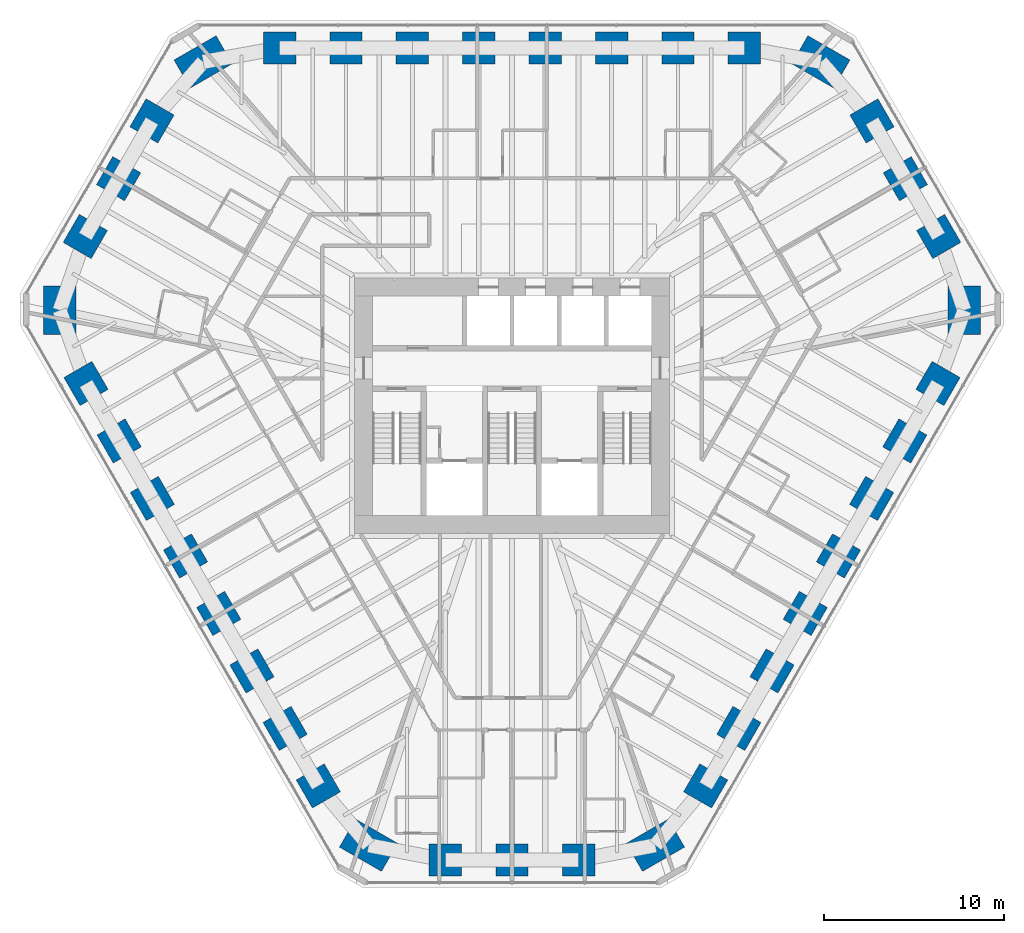
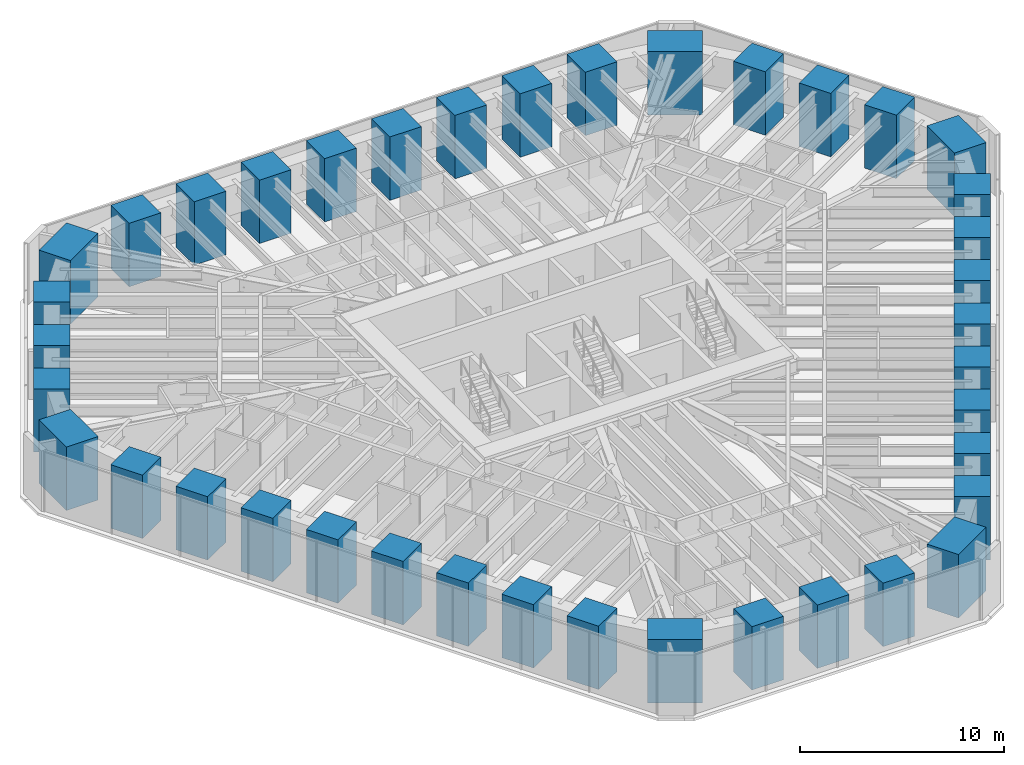
# One storey, part 1 of 16: 39 columns.
"""IFC4 building model written with IfcOpenShell, lengths in metres."""

from ifc_helpers import new_model, si_unit, direction, frame, origin, origin_2d, place, context, subcontext, project, spatial, rectangle, extrude, material, material_profile, profile_set, type_object, element, save


model = new_model("IFC4")

# Units and contexts
model_context = context("Model", 3, precision=1e-05, world=origin(), true_north=direction((0.0, 1.0)))
body_context = subcontext(model_context, "Body", "Model", "MODEL_VIEW")
ifc_project = project(units=[si_unit("LENGTHUNIT", "METRE"), si_unit("AREAUNIT", "SQUARE_METRE"), si_unit("VOLUMEUNIT", "CUBIC_METRE"), si_unit("PLANEANGLEUNIT", "RADIAN"), si_unit("MASSUNIT", "GRAM", prefix="KILO")], contexts=[model_context])

# Site, building, storey
site_placement = place(None, origin())
site = spatial("IfcSite", under=ifc_project, at=site_placement, CompositionType="ELEMENT")
building_placement = place(site_placement, origin())
building = spatial("IfcBuilding", under=site, at=building_placement, Name="Sandreach Pilgrim Tower", CompositionType="ELEMENT")
storey_placement = place(building_placement, frame((0.0, 0.0, 183.199951171875)))
storey = spatial("IfcBuildingStorey", under=building, at=storey_placement, Name="L45", CompositionType="ELEMENT", Elevation=183.199951171875)

# Columns
ifc_material_1 = material(Name="Concrete 10000 psi", Category="concrete")
ifc_material_profile_1 = material_profile(ifc_material_1, rectangle(XDim=1.800048828125, YDim=1.800048828125, at=origin_2d()), Name="RC1800X1800")
ifc_profile_set_1 = profile_set([ifc_material_profile_1], Name="Concrete 10000 psi")
column_type_1 = type_object("IfcColumnType", Name="Tube column RC1800X1800", PredefinedType="COLUMN", material=ifc_profile_set_1)
for number, where, z_axis, x_axis, name in (
    (1, (-12.923828125, 19.900146484375, 0.0), (0.0, 0.0, 1.0), (0.0, 1.0, 0.0), "COL L45 T01"),
    (2, (-9.231201171875, 19.900146484375, 0.0), (0.0, 0.0, 1.0), (0.0, 1.0, 0.0), "COL L45 T02"),
    (3, (-5.538818359375, 19.900146484375, 0.0), (0.0, 0.0, 1.0), (0.0, 1.0, 0.0), "COL L45 T03"),
    (4, (-1.84619140625, 19.900146484375, 0.0), (0.0, 0.0, 1.0), (0.0, 1.0, 0.0), "COL L45 T04"),
    (5, (1.84619140625, 19.900146484375, 0.0), (0.0, 0.0, 1.0), (0.0, 1.0, 0.0), "COL L45 T05"),
    (6, (5.538818359375, 19.900146484375, 0.0), (0.0, 0.0, 1.0), (0.0, 1.0, 0.0), "COL L45 T06"),
    (7, (9.231201171875, 19.900146484375, 0.0), (0.0, 0.0, 1.0), (0.0, 1.0, 0.0), "COL L45 T07"),
    (8, (12.923828125, 19.900146484375, 0.0), (0.0, 0.0, 1.0), (0.0, 1.0, 0.0), "COL L45 T08"),
    (9, (20.025146484375, 15.845947265625, 0.0), (0.0, 0.0, 1.0), (0.866025403784, 0.5, 0.0), "COL L45 T10"),
    (10, (21.88037109375, 12.632568359375, 0.0), (0.0, 0.0, 1.0), (0.866025403784, 0.5, 0.0), "COL L45 T11"),
    (11, (23.7353515625, 9.419189453125, 0.0), (0.0, 0.0, 1.0), (0.866025403784, 0.5, 0.0), "COL L45 T12"),
    (12, (23.69580078125, 1.2421875, 0.0), (0.0, 0.0, 1.0), (0.866025403784, -0.5, 0.0), "COL L45 T14"),
    (13, (21.849609375, -1.95556640625, 0.0), (0.0, 0.0, 1.0), (0.866025403784, -0.5, 0.0), "COL L45 T15"),
    (14, (20.00341796875, -5.1533203125, 0.0), (0.0, 0.0, 1.0), (0.866025403784, -0.5, 0.0), "COL L45 T16"),
    (15, (18.1572265625, -8.35107421875, 0.0), (0.0, 0.0, 1.0), (0.866025403784, -0.5, 0.0), "COL L45 T17"),
    (16, (16.310791015625, -11.548828125, 0.0), (0.0, 0.0, 1.0), (0.866025403784, -0.5, 0.0), "COL L45 T18"),
    (17, (14.464599609375, -14.746826171875, 0.0), (0.0, 0.0, 1.0), (0.866025403784, -0.5, 0.0), "COL L45 T19"),
    (18, (12.618408203125, -17.944580078125, 0.0), (0.0, 0.0, 1.0), (0.866025403784, -0.5, 0.0), "COL L45 T20"),
    (19, (10.772216796875, -21.142333984375, 0.0), (0.0, 0.0, 1.0), (0.866025403784, -0.5, 0.0), "COL L45 T21"),
    (20, (3.71044921875, -25.26513671875, 0.0), (0.0, 0.0, 1.0), (0.0, -1.0, 0.0), "COL L45 T23"),
    (21, (0.0, -25.26513671875, 0.0), (0.0, 0.0, 1.0), (0.0, -1.0, 0.0), "COL L45 T24"),
    (22, (-3.71044921875, -25.26513671875, 0.0), (0.0, 0.0, 1.0), (0.0, -1.0, 0.0), "COL L45 T25"),
    (23, (-10.772216796875, -21.142333984375, 0.0), (0.0, 0.0, 1.0), (-0.866025403784, -0.5, 0.0), "COL L45 T27"),
    (24, (-12.618408203125, -17.944580078125, 0.0), (0.0, 0.0, 1.0), (-0.866025403784, -0.5, 0.0), "COL L45 T28"),
    (25, (-14.464599609375, -14.746826171875, 0.0), (0.0, 0.0, 1.0), (-0.866025403784, -0.5, 0.0), "COL L45 T29"),
    (26, (-16.310791015625, -11.548828125, 0.0), (0.0, 0.0, 1.0), (-0.866025403784, -0.5, 0.0), "COL L45 T30"),
    (27, (-18.1572265625, -8.35107421875, 0.0), (0.0, 0.0, 1.0), (-0.866025403784, -0.5, 0.0), "COL L45 T31"),
    (28, (-20.00341796875, -5.1533203125, 0.0), (0.0, 0.0, 1.0), (-0.866025403784, -0.5, 0.0), "COL L45 T32"),
    (29, (-21.849609375, -1.95556640625, 0.0), (0.0, 0.0, 1.0), (-0.866025403784, -0.5, 0.0), "COL L45 T33"),
    (30, (-23.69580078125, 1.2421875, 0.0), (0.0, 0.0, 1.0), (-0.866025403784, -0.5, 0.0), "COL L45 T34"),
    (31, (-23.7353515625, 9.419189453125, 0.0), (0.0, 0.0, 1.0), (-0.866025403784, 0.5, 0.0), "COL L45 T36"),
    (32, (-21.88037109375, 12.632568359375, 0.0), (0.0, 0.0, 1.0), (-0.866025403784, 0.5, 0.0), "COL L45 T37"),
    (33, (-20.025146484375, 15.845947265625, 0.0), (0.0, 0.0, 1.0), (-0.866025403784, 0.5, 0.0), "COL L45 T38"),
):
    element("IfcColumn", number, at=place(storey_placement, frame(where, z_axis=z_axis, x_axis=x_axis)), inside=storey, type_object=column_type_1, Name=name, PredefinedType="COLUMN", context=body_context, shape_type="SweptSolid", body=[
        extrude(rectangle(XDim=1.800048828125, YDim=1.800048828125, at=origin_2d()), origin(), (0.0, 0.0, 1.0), 3.800048828125),
    ])
ifc_material_2 = material(Name="Concrete 10000 psi", Category="concrete")
ifc_material_profile_2 = material_profile(ifc_material_2, rectangle(XDim=1.800048828125, YDim=2.699951171875, at=origin_2d()), Name="RC1800X2700")
ifc_profile_set_2 = profile_set([ifc_material_profile_2], Name="Concrete 10000 psi")
column_type_2 = type_object("IfcColumnType", Name="Tube corner pier RC1800X2700", PredefinedType="COLUMN", material=ifc_profile_set_2)
for number, where, z_axis, x_axis, name in (
    (34, (17.177978515625, 19.130615234375, 0.0), (0.0, 0.0, 1.0), (0.5, 0.866025403784, 0.0), "COL L45 T09"),
    (35, (25.156494140625, 5.311279296875, 0.0), (0.0, 0.0, 1.0), (1.0, 0.0, 0.0), "COL L45 T13"),
    (36, (7.978515625, -24.44189453125, 0.0), (0.0, 0.0, 1.0), (0.5, -0.866025403784, 0.0), "COL L45 T22"),
    (37, (-7.978515625, -24.44189453125, 0.0), (0.0, 0.0, 1.0), (-0.5, -0.866025403784, 0.0), "COL L45 T26"),
    (38, (-25.156494140625, 5.311279296875, 0.0), (0.0, 0.0, 1.0), (-1.0, 0.0, 0.0), "COL L45 T35"),
    (39, (-17.177978515625, 19.130615234375, 0.0), (0.0, 0.0, 1.0), (-0.5, 0.866025403784, 0.0), "COL L45 T39"),
):
    element("IfcColumn", number, at=place(storey_placement, frame(where, z_axis=z_axis, x_axis=x_axis)), inside=storey, type_object=column_type_2, Name=name, PredefinedType="COLUMN", context=body_context, shape_type="SweptSolid", body=[
        extrude(rectangle(XDim=1.800048828125, YDim=2.699951171875, at=origin_2d()), origin(), (0.0, 0.0, 1.0), 3.800048828125),
    ])

save(model, "model.ifc")
